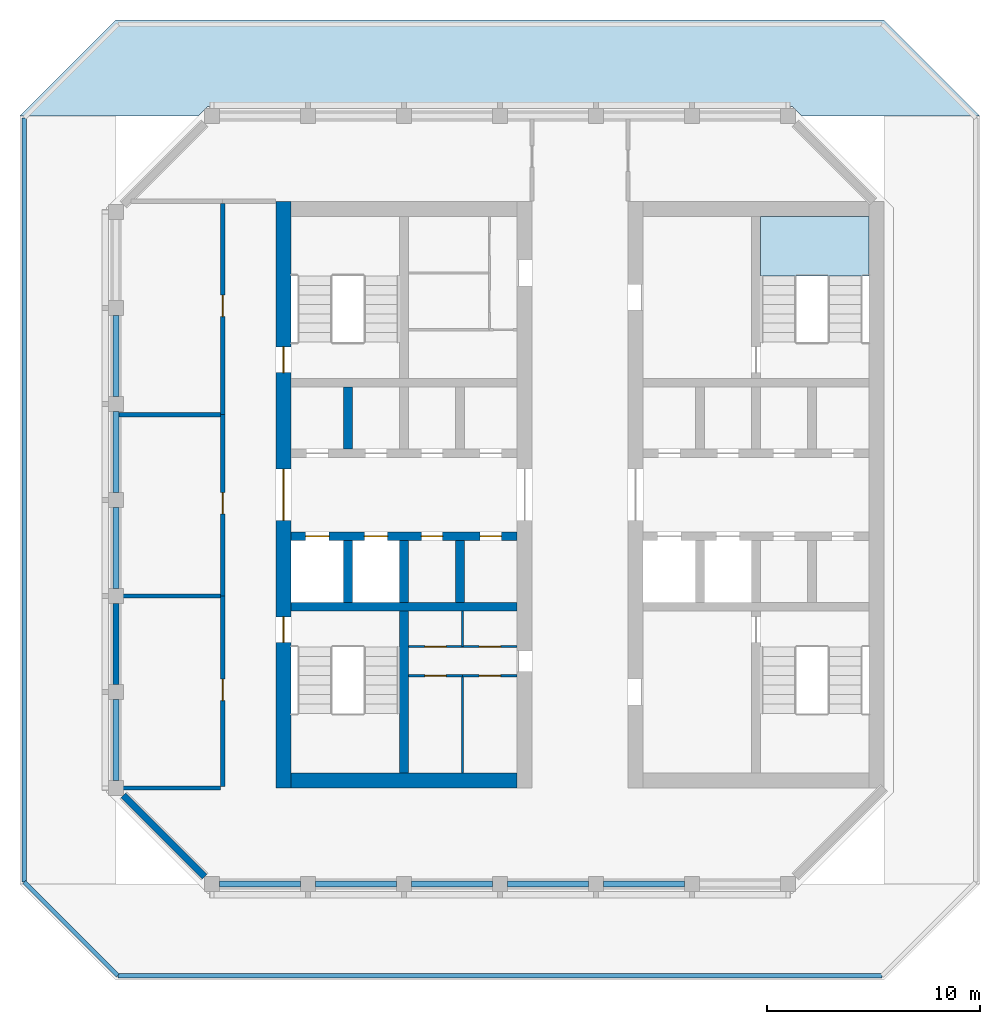
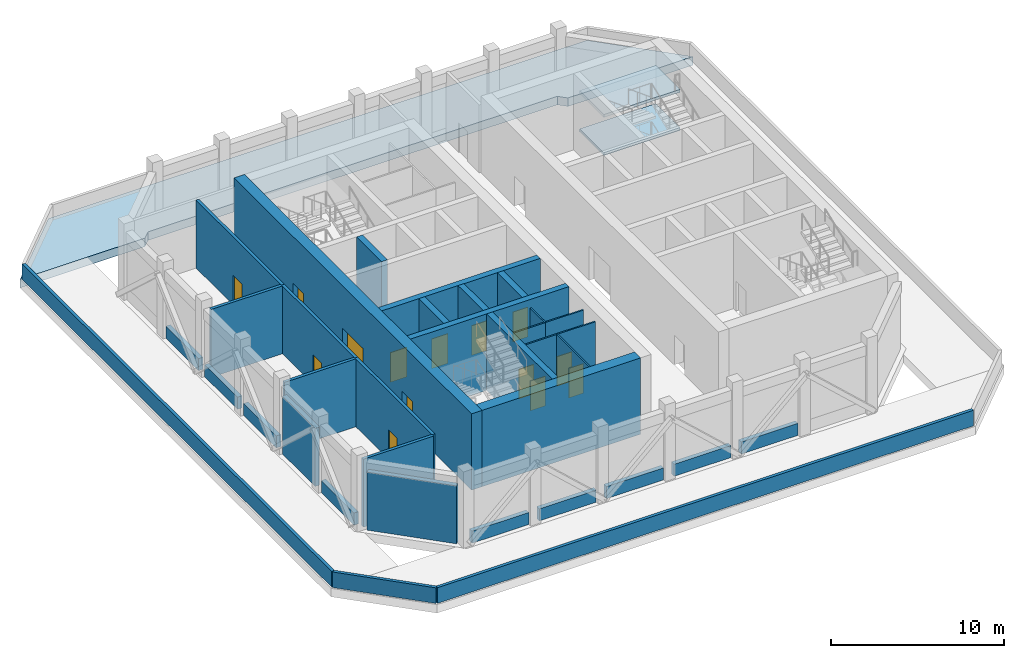
# One storey, part 2 of 8: 35 walls, 14 doors, 3 slabs, 14 openings, 1 element without a shape of its own.
"""IFC4 building model written with IfcOpenShell, lengths in metres."""

from ifc_helpers import new_model, si_unit, direction, frame, frame_2d, origin, place, context, subcontext, project, spatial, polyline, rectangle, outline, extrude, material, layer, layer_set, type_object, element, fill, aggregate, save


model = new_model("IFC4")

# Units and contexts
model_context = context("Model", 3, precision=1e-05, world=origin(), true_north=direction((0.0, 1.0)))
body_context = subcontext(model_context, "Body", "Model", "MODEL_VIEW")
ifc_project = project(units=[si_unit("LENGTHUNIT", "METRE"), si_unit("AREAUNIT", "SQUARE_METRE"), si_unit("VOLUMEUNIT", "CUBIC_METRE"), si_unit("PLANEANGLEUNIT", "RADIAN"), si_unit("MASSUNIT", "GRAM", prefix="KILO")], contexts=[model_context])

# Site, building, storey
site_placement = place(None, origin())
site = spatial("IfcSite", under=ifc_project, at=site_placement, CompositionType="ELEMENT")
building_placement = place(site_placement, origin())
building = spatial("IfcBuilding", under=site, at=building_placement, Name="Corbel Stack Research Tower", CompositionType="ELEMENT")
storey_placement = place(building_placement, frame((0.0, 0.0, 301.0)))
storey = spatial("IfcBuildingStorey", under=building, at=storey_placement, Name="L68", CompositionType="ELEMENT", Elevation=301.0)

# Stair, slabs
ifc_material_1 = material(Name="Concrete C40/50", Category="concrete")
stair_type = type_object("IfcStairType", Name="Exit stair 32 risers, 443 going", PredefinedType="HALF_TURN_STAIR", material=ifc_material_1)
stair_placement = place(storey_placement, origin())
stair = element("IfcStair", 1, at=stair_placement, inside=storey, type_object=stair_type, Name="L68 Exit stair ST-E2", PredefinedType="HALF_TURN_STAIR")
ifc_material_2 = material(Name="Concrete C40/50", Category="concrete")
ifc_layer_1 = layer(ifc_material_2, 0.199951171875)
ifc_layer_set_1 = layer_set([ifc_layer_1], Name="Concrete C40/50")
slab_type_1 = type_object("IfcSlabType", Name="Stair landing 200 C40/50", PredefinedType="LANDING", material=ifc_layer_set_1)
slab_1_placement = place(storey_placement, frame((0.0, 0.0, 1.14990234375)))
slab_1 = element("IfcSlab", 2, at=slab_1_placement, type_object=slab_type_1, Name="ST-E2 landing 1", PredefinedType="LANDING", context=body_context, shape_type="SweptSolid", body=[
    extrude(outline(polyline([(12.199951171875, 15.0009765625), (12.199951171875, 17.800048828125), (17.300048828125, 17.800048828125), (17.300048828125, 15.0009765625), (12.199951171875, 15.0009765625)])), origin(), (0.0, 0.0, 1.0), 0.2001953125),
])
slab_2_placement = place(storey_placement, frame((0.0, 0.0, 3.85009765625)))
slab_2 = element("IfcSlab", 3, at=slab_2_placement, type_object=slab_type_1, Name="ST-E2 landing 3", PredefinedType="LANDING", context=body_context, shape_type="SweptSolid", body=[
    extrude(outline(polyline([(12.199951171875, 15.0009765625), (12.199951171875, 17.800048828125), (17.300048828125, 17.800048828125), (17.300048828125, 15.0009765625), (12.199951171875, 15.0009765625)])), origin(), (0.0, 0.0, 1.0), 0.199951171875),
])
aggregate(stair, [slab_1, slab_2])

# Slab
ifc_material_3 = material(Name="Concrete C45/55", Category="concrete")
ifc_layer_2 = layer(ifc_material_3, 0.60009765625)
ifc_layer_set_2 = layer_set([ifc_layer_2], Name="Concrete C45/55")
slab_type_2 = type_object("IfcSlabType", Name="TS-600", PredefinedType="ROOF", material=ifc_layer_set_2)
slab_3_placement = place(storey_placement, frame((0.0, 0.0, -0.60009765625)))
element("IfcSlab", 4, at=slab_3_placement, inside=storey, type_object=slab_type_2, Name="Terrace slab L68", PredefinedType="ROOF", context=body_context, shape_type="SweptSolid", body=[
    extrude(outline(polyline([(-14.136474609375, 22.5), (-13.686279296875, 22.949951171875), (13.686279296875, 22.949951171875), (14.136474609375, 22.5), (22.5, 22.5), (18.0, 27.0), (-18.0, 27.0), (-22.5, 22.5), (-14.136474609375, 22.5)])), origin(), (0.0, 0.0, 1.0), 0.60009765625),
])

# Walls
ifc_material_4 = material(Name="Concrete blockwork C20/25", Category="masonry")
ifc_layer_3 = layer(ifc_material_4, 0.199951171875)
ifc_layer_set_3 = layer_set([ifc_layer_3], Name="Concrete blockwork C20/25")
wall_type_1 = type_object("IfcWallType", Name="Blockwork partition 200", PredefinedType="PARTITIONING", material=ifc_layer_set_3)
for number, where, z_axis, x_axis, name in (
    (5, (-17.85498046875, 0.0, 0.0), (0.0, 0.0, 1.0), (1.0, 0.0, 0.0), "Partition L68-01"),
    (6, (-17.85498046875, 8.5, 0.0), (0.0, 0.0, 1.0), (1.0, 0.0, 0.0), "Partition L68-02"),
):
    element("IfcWall", number, at=place(storey_placement, frame(where, z_axis=z_axis, x_axis=x_axis)), inside=storey, type_object=wall_type_1, Name=name, PredefinedType="PARTITIONING", context=body_context, shape_type="SweptSolid", body=[
        extrude(rectangle(XDim=4.7548828125, YDim=0.199951171875, at=frame_2d((2.37744140625, 0.0))), origin(), (0.0, 0.0, 1.0), 4.800048828125),
    ])
wall_1_placement = place(storey_placement, frame((-17.794921875, -9.0, 0.0), z_axis=(0.0, 0.0, 1.0), x_axis=(1.0, 0.0, 0.0)))
element("IfcWall", 7, at=wall_1_placement, inside=storey, type_object=wall_type_1, Name="Partition L68-03", PredefinedType="PARTITIONING", context=body_context, shape_type="SweptSolid", body=[
    extrude(rectangle(XDim=4.704833984375, YDim=0.199951171875, at=frame_2d((2.3525390625, 0.0))), origin(), (0.0, 0.0, 1.0), 4.800048828125),
])

# Wall, opening, door
wall_2_placement = place(storey_placement, frame((-13.0, -8.93994140625, 0.0), z_axis=(0.0, 0.0, 1.0), x_axis=(0.0, 1.0, 0.0)))
wall_2 = element("IfcWall", 8, at=wall_2_placement, inside=storey, type_object=wall_type_1, Name="Partition L68-05", PredefinedType="PARTITIONING", context=body_context, shape_type="SweptSolid", body=[
    extrude(rectangle(XDim=8.93994140625, YDim=0.199951171875, at=frame_2d((4.469970703125, 0.0))), origin(), (0.0, 0.0, 1.0), 4.800048828125),
])
opening_1_placement = place(wall_2_placement, frame((4.0400390625, 0.0, 0.0)))
opening_1 = element("IfcOpeningElement", 9, at=opening_1_placement, cuts=wall_2, Name="Opening D68-01", PredefinedType="OPENING", context=body_context, shape_type="SweptSolid", body=[
    extrude(rectangle(XDim=1.0, YDim=2.10009765625, at=frame_2d((0.5, 1.050048828125))), frame((0.0, 0.10986328125, 0.0), z_axis=(0.0, -1.0, 0.0), x_axis=(1.0, 0.0, 0.0)), (0.0, 0.0, 1.0), 0.219970703125),
])
ifc_material_5 = material(Name="Steel, painted", Category="steel")
door_type_1 = type_object("IfcDoorType", Name="Steel door 1000 x 2100 FD90", OperationType="SINGLE_SWING_LEFT", PredefinedType="DOOR", material=ifc_material_5)
door_1_placement = place(opening_1_placement, origin())
door_1 = element("IfcDoor", 10, at=door_1_placement, inside=storey, type_object=door_type_1, Name="Refuge area door", OperationType="SINGLE_SWING_LEFT", OverallHeight=2.10009765625, OverallWidth=1.0, PredefinedType="DOOR", context=body_context, shape_type="SweptSolid", body=[
    extrude(rectangle(XDim=1.0, YDim=2.10009765625, at=frame_2d((0.5, 1.050048828125))), frame((0.0, 0.02490234375, 0.0), z_axis=(0.0, -1.0, 0.0), x_axis=(1.0, 0.0, 0.0)), (0.0, 0.0, 1.0), 0.050048828125),
])
fill(opening_1, door_1)

wall_3_placement = place(storey_placement, frame((-13.0, 0.0, 0.0), z_axis=(0.0, 0.0, 1.0), x_axis=(0.0, 1.0, 0.0)))
wall_3 = element("IfcWall", 11, at=wall_3_placement, inside=storey, type_object=wall_type_1, Name="Partition L68-06", PredefinedType="PARTITIONING", context=body_context, shape_type="SweptSolid", body=[
    extrude(rectangle(XDim=8.5, YDim=0.199951171875, at=frame_2d((4.25, 0.0))), origin(), (0.0, 0.0, 1.0), 4.800048828125),
])
opening_2_placement = place(wall_3_placement, frame((3.85009765625, 0.0, 0.0)))
opening_2 = element("IfcOpeningElement", 12, at=opening_2_placement, cuts=wall_3, Name="Opening D68-02", PredefinedType="OPENING", context=body_context, shape_type="SweptSolid", body=[
    extrude(rectangle(XDim=1.0, YDim=2.10009765625, at=frame_2d((0.5, 1.050048828125))), frame((0.0, 0.10986328125, 0.0), z_axis=(0.0, -1.0, 0.0), x_axis=(1.0, 0.0, 0.0)), (0.0, 0.0, 1.0), 0.219970703125),
])
door_2_placement = place(opening_2_placement, origin())
door_2 = element("IfcDoor", 13, at=door_2_placement, inside=storey, type_object=door_type_1, Name="Mechanical plant room door", OperationType="SINGLE_SWING_LEFT", OverallHeight=2.10009765625, OverallWidth=1.0, PredefinedType="DOOR", context=body_context, shape_type="SweptSolid", body=[
    extrude(rectangle(XDim=1.0, YDim=2.10009765625, at=frame_2d((0.5, 1.050048828125))), frame((0.0, 0.02490234375, 0.0), z_axis=(0.0, -1.0, 0.0), x_axis=(1.0, 0.0, 0.0)), (0.0, 0.0, 1.0), 0.050048828125),
])
fill(opening_2, door_2)

wall_4_placement = place(storey_placement, frame((-13.0, 8.5, 0.0), z_axis=(0.0, 0.0, 1.0), x_axis=(0.0, 1.0, 0.0)))
wall_4 = element("IfcWall", 14, at=wall_4_placement, inside=storey, type_object=wall_type_1, Name="Partition L68-07", PredefinedType="PARTITIONING", context=body_context, shape_type="SweptSolid", body=[
    extrude(rectangle(XDim=9.89990234375, YDim=0.199951171875, at=frame_2d((4.949951171875, 0.0))), origin(), (0.0, 0.0, 1.0), 4.800048828125),
])
opening_3_placement = place(wall_4_placement, frame((4.60009765625, 0.0, 0.0)))
opening_3 = element("IfcOpeningElement", 15, at=opening_3_placement, cuts=wall_4, Name="Opening D68-03", PredefinedType="OPENING", context=body_context, shape_type="SweptSolid", body=[
    extrude(rectangle(XDim=1.0, YDim=2.10009765625, at=frame_2d((0.5, 1.050048828125))), frame((0.0, 0.10986328125, 0.0), z_axis=(0.0, -1.0, 0.0), x_axis=(1.0, 0.0, 0.0)), (0.0, 0.0, 1.0), 0.219970703125),
])
door_3_placement = place(opening_3_placement, origin())
door_3 = element("IfcDoor", 16, at=door_3_placement, inside=storey, type_object=door_type_1, Name="Electrical switch room door", OperationType="SINGLE_SWING_LEFT", OverallHeight=2.10009765625, OverallWidth=1.0, PredefinedType="DOOR", context=body_context, shape_type="SweptSolid", body=[
    extrude(rectangle(XDim=1.0, YDim=2.10009765625, at=frame_2d((0.5, 1.050048828125))), frame((0.0, 0.02490234375, 0.0), z_axis=(0.0, -1.0, 0.0), x_axis=(1.0, 0.0, 0.0)), (0.0, 0.0, 1.0), 0.050048828125),
])
fill(opening_3, door_3)

# Wall
ifc_material_6 = material(Name="Concrete C60/75", Category="concrete")
ifc_layer_4 = layer(ifc_material_6, 0.39990234375)
ifc_layer_set_4 = layer_set([ifc_layer_4], Name="Concrete C60/75")
wall_type_2 = type_object("IfcWallType", Name="CW-400-60", PredefinedType="SHEAR", material=ifc_layer_set_4)
wall_5_placement = place(storey_placement, frame((-9.800048828125, -0.5, 0.0), z_axis=(0.0, 0.0, 1.0), x_axis=(1.0, 0.0, 0.0)))
element("IfcWall", 17, at=wall_5_placement, inside=storey, type_object=wall_type_2, Name="West core wall, south row back L68", PredefinedType="SHEAR", context=body_context, shape_type="SweptSolid", body=[
    extrude(rectangle(XDim=10.60009765625, YDim=0.39990234375, at=frame_2d((5.300048828125, 0.0))), origin(), (0.0, 0.0, 1.0), 5.39990234375),
])

# Wall, openings, doors
wall_6_placement = place(storey_placement, frame((-9.800048828125, 2.800048828125, 0.0), z_axis=(0.0, 0.0, 1.0), x_axis=(1.0, 0.0, 0.0)))
wall_6 = element("IfcWall", 18, at=wall_6_placement, inside=storey, type_object=wall_type_2, Name="West core wall, lobby south L68", PredefinedType="SHEAR", context=body_context, shape_type="SweptSolid", body=[
    extrude(rectangle(XDim=10.60009765625, YDim=0.39990234375, at=frame_2d((5.300048828125, 0.0))), origin(), (0.0, 0.0, 1.0), 5.39990234375),
])
opening_4_placement = place(wall_6_placement, frame((0.6875, 0.0, 0.0)))
opening_4 = element("IfcOpeningElement", 19, at=opening_4_placement, cuts=wall_6, Name="Opening LD-FS1", PredefinedType="OPENING", context=body_context, shape_type="SweptSolid", body=[
    extrude(rectangle(XDim=1.10009765625, YDim=2.10009765625, at=frame_2d((0.550048828125, 1.050048828125))), frame((0.0, 0.2099609375, 0.0), z_axis=(0.0, -1.0, 0.0), x_axis=(1.0, 0.0, 0.0)), (0.0, 0.0, 1.0), 0.419921875),
])
opening_5_placement = place(wall_6_placement, frame((3.4375, 0.0, 0.0)))
opening_5 = element("IfcOpeningElement", 20, at=opening_5_placement, cuts=wall_6, Name="Opening LD-GL1", PredefinedType="OPENING", context=body_context, shape_type="SweptSolid", body=[
    extrude(rectangle(XDim=1.10009765625, YDim=2.10009765625, at=frame_2d((0.550048828125, 1.050048828125))), frame((0.0, 0.2099609375, 0.0), z_axis=(0.0, -1.0, 0.0), x_axis=(1.0, 0.0, 0.0)), (0.0, 0.0, 1.0), 0.419921875),
])
opening_6_placement = place(wall_6_placement, frame((6.112548828125, 0.0, 0.0)))
opening_6 = element("IfcOpeningElement", 21, at=opening_6_placement, cuts=wall_6, Name="Opening CR-W54-S3", PredefinedType="OPENING", context=body_context, shape_type="SweptSolid", body=[
    extrude(rectangle(XDim=1.0, YDim=2.10009765625, at=frame_2d((0.5, 1.050048828125))), frame((0.0, 0.2099609375, 0.0), z_axis=(0.0, -1.0, 0.0), x_axis=(1.0, 0.0, 0.0)), (0.0, 0.0, 1.0), 0.419921875),
])
opening_7_placement = place(wall_6_placement, frame((8.862548828125, 0.0, 0.0)))
opening_7 = element("IfcOpeningElement", 22, at=opening_7_placement, cuts=wall_6, Name="Opening CR-W54-S4", PredefinedType="OPENING", context=body_context, shape_type="SweptSolid", body=[
    extrude(rectangle(XDim=1.0, YDim=2.10009765625, at=frame_2d((0.5, 1.050048828125))), frame((0.0, 0.2099609375, 0.0), z_axis=(0.0, -1.0, 0.0), x_axis=(1.0, 0.0, 0.0)), (0.0, 0.0, 1.0), 0.419921875),
])
ifc_material_7 = material(Name="Stainless steel landing door", Category="steel")
door_type_2 = type_object("IfcDoorType", Name="Lift landing door 1100 x 2100", OperationType="DOUBLE_DOOR_SLIDING", PredefinedType="DOOR", material=ifc_material_7)
door_4_placement = place(opening_4_placement, origin())
door_4 = element("IfcDoor", 23, at=door_4_placement, inside=storey, type_object=door_type_2, Name="Landing door FS1", OperationType="DOUBLE_DOOR_SLIDING", OverallHeight=2.10009765625, OverallWidth=1.10009765625, PredefinedType="DOOR", context=body_context, shape_type="SweptSolid", body=[
    extrude(rectangle(XDim=1.10009765625, YDim=2.10009765625, at=frame_2d((0.550048828125, 1.050048828125))), frame((0.0, 0.02490234375, 0.0), z_axis=(0.0, -1.0, 0.0), x_axis=(1.0, 0.0, 0.0)), (0.0, 0.0, 1.0), 0.050048828125),
])
fill(opening_4, door_4)
door_5_placement = place(opening_5_placement, origin())
door_5 = element("IfcDoor", 24, at=door_5_placement, inside=storey, type_object=door_type_2, Name="Landing door GL1", OperationType="DOUBLE_DOOR_SLIDING", OverallHeight=2.10009765625, OverallWidth=1.10009765625, PredefinedType="DOOR", context=body_context, shape_type="SweptSolid", body=[
    extrude(rectangle(XDim=1.10009765625, YDim=2.10009765625, at=frame_2d((0.550048828125, 1.050048828125))), frame((0.0, 0.02490234375, 0.0), z_axis=(0.0, -1.0, 0.0), x_axis=(1.0, 0.0, 0.0)), (0.0, 0.0, 1.0), 0.050048828125),
])
fill(opening_5, door_5)
ifc_material_8 = material(Name="Painted steel door", Category="steel")
door_type_3 = type_object("IfcDoorType", Name="Service door 1000 x 2100 FD60 left hand", OperationType="SINGLE_SWING_LEFT", PredefinedType="DOOR", material=ifc_material_8)
door_6_placement = place(opening_6_placement, origin())
door_6 = element("IfcDoor", 25, at=door_6_placement, inside=storey, type_object=door_type_3, Name="Electrical switch room door W core", OperationType="SINGLE_SWING_LEFT", OverallHeight=2.10009765625, OverallWidth=1.0, PredefinedType="DOOR", context=body_context, shape_type="SweptSolid", body=[
    extrude(rectangle(XDim=1.0, YDim=2.10009765625, at=frame_2d((0.5, 1.050048828125))), frame((0.0, 0.02490234375, 0.0), z_axis=(0.0, -1.0, 0.0), x_axis=(1.0, 0.0, 0.0)), (0.0, 0.0, 1.0), 0.050048828125),
])
fill(opening_6, door_6)
ifc_material_9 = material(Name="Painted steel door", Category="steel")
door_type_4 = type_object("IfcDoorType", Name="Service door 1000 x 2100 FD60 right hand", OperationType="SINGLE_SWING_RIGHT", PredefinedType="DOOR", material=ifc_material_9)
door_7_placement = place(opening_7_placement, origin())
door_7 = element("IfcDoor", 26, at=door_7_placement, inside=storey, type_object=door_type_4, Name="Electrical switch room door W core", OperationType="SINGLE_SWING_RIGHT", OverallHeight=2.10009765625, OverallWidth=1.0, PredefinedType="DOOR", context=body_context, shape_type="SweptSolid", body=[
    extrude(rectangle(XDim=1.0, YDim=2.10009765625, at=frame_2d((0.5, 1.050048828125))), frame((0.0, 0.02490234375, 0.0), z_axis=(0.0, -1.0, 0.0), x_axis=(1.0, 0.0, 0.0)), (0.0, 0.0, 1.0), 0.050048828125),
])
fill(opening_7, door_7)

# Walls
for number, where, z_axis, x_axis, name in (
    (27, (-7.125, -0.300048828125, 0.0), (0.0, 0.0, 1.0), (0.0, 1.0, 0.0), "West core wall, south shaft 1 L68"),
    (28, (-7.125, 6.89990234375, 0.0), (0.0, 0.0, 1.0), (0.0, 1.0, 0.0), "West core wall, north shaft 1 L68"),
    (29, (-4.5, -0.300048828125, 0.0), (0.0, 0.0, 1.0), (0.0, 1.0, 0.0), "West core wall, south shaft 2 L68"),
    (30, (-1.875, -0.300048828125, 0.0), (0.0, 0.0, 1.0), (0.0, 1.0, 0.0), "West core wall, south shaft 3 L68"),
):
    element("IfcWall", number, at=place(storey_placement, frame(where, z_axis=z_axis, x_axis=x_axis)), inside=storey, type_object=wall_type_2, Name=name, PredefinedType="SHEAR", context=body_context, shape_type="SweptSolid", body=[
        extrude(rectangle(XDim=2.900146484375, YDim=0.39990234375, at=frame_2d((1.4501953125, 0.0))), origin(), (0.0, 0.0, 1.0), 5.39990234375),
    ])
wall_7_placement = place(storey_placement, frame((-4.5, -8.300048828125, 0.0), z_axis=(0.0, 0.0, 1.0), x_axis=(0.0, 1.0, 0.0)))
element("IfcWall", 31, at=wall_7_placement, inside=storey, type_object=wall_type_2, Name="West core wall, south stair and WC L68", PredefinedType="SHEAR", context=body_context, shape_type="SweptSolid", body=[
    extrude(rectangle(XDim=7.60009765625, YDim=0.39990234375, at=frame_2d((3.800048828125, 0.0))), origin(), (0.0, 0.0, 1.0), 5.39990234375),
])

# Wall, openings, doors
ifc_material_10 = material(Name="Concrete C60/75", Category="concrete")
ifc_layer_5 = layer(ifc_material_10, 0.699951171875)
ifc_layer_set_5 = layer_set([ifc_layer_5], Name="Concrete C60/75")
wall_type_3 = type_object("IfcWallType", Name="CW-700-60", PredefinedType="SHEAR", material=ifc_layer_set_5)
wall_8_placement = place(storey_placement, frame((-10.14990234375, -9.0, 0.0), z_axis=(0.0, 0.0, 1.0), x_axis=(0.0, 1.0, 0.0)))
wall_8 = element("IfcWall", 32, at=wall_8_placement, inside=storey, type_object=wall_type_3, Name="West core wall, west face L68", PredefinedType="SHEAR", context=body_context, shape_type="SweptSolid", body=[
    extrude(rectangle(XDim=27.5, YDim=0.699951171875, at=frame_2d((13.75, 0.0))), origin(), (0.0, 0.0, 1.0), 5.39990234375),
])
opening_8_placement = place(wall_8_placement, frame((12.550048828125, 0.0, 0.0)))
opening_8 = element("IfcOpeningElement", 33, at=opening_8_placement, cuts=wall_8, Name="Opening CD-W-W", PredefinedType="OPENING", context=body_context, shape_type="SweptSolid", body=[
    extrude(rectangle(XDim=2.39990234375, YDim=2.39990234375, at=frame_2d((1.199951171875, 1.199951171875))), frame((0.0, 0.35986328125, 0.0), z_axis=(0.0, -1.0, 0.0), x_axis=(1.0, 0.0, 0.0)), (0.0, 0.0, 1.0), 0.719970703125),
])
opening_9_placement = place(wall_8_placement, frame((6.824951171875, 0.0, 0.0)))
opening_9 = element("IfcOpeningElement", 34, at=opening_9_placement, cuts=wall_8, Name="Opening SD-ST-W1", PredefinedType="OPENING", context=body_context, shape_type="SweptSolid", body=[
    extrude(rectangle(XDim=1.199951171875, YDim=2.10009765625, at=frame_2d((0.60009765625, 1.050048828125))), frame((0.0, 0.35986328125, 0.0), z_axis=(0.0, -1.0, 0.0), x_axis=(1.0, 0.0, 0.0)), (0.0, 0.0, 1.0), 0.719970703125),
])
opening_10_placement = place(wall_8_placement, frame((19.47509765625, 0.0, 0.0)))
opening_10 = element("IfcOpeningElement", 35, at=opening_10_placement, cuts=wall_8, Name="Opening SD-ST-W2", PredefinedType="OPENING", context=body_context, shape_type="SweptSolid", body=[
    extrude(rectangle(XDim=1.199951171875, YDim=2.10009765625, at=frame_2d((0.60009765625, 1.050048828125))), frame((0.0, 0.35986328125, 0.0), z_axis=(0.0, -1.0, 0.0), x_axis=(1.0, 0.0, 0.0)), (0.0, 0.0, 1.0), 0.719970703125),
])
ifc_material_11 = material(Name="Painted steel fire door", Category="steel")
door_type_5 = type_object("IfcDoorType", Name="Lobby door pair 2400 x 2400 FD30S", OperationType="DOUBLE_DOOR_DOUBLE_SWING", PredefinedType="DOOR", material=ifc_material_11)
door_8_placement = place(opening_8_placement, origin())
door_8 = element("IfcDoor", 36, at=door_8_placement, inside=storey, type_object=door_type_5, Name="Lift lobby door W core W", OperationType="DOUBLE_DOOR_DOUBLE_SWING", OverallHeight=2.39990234375, OverallWidth=2.39990234375, PredefinedType="DOOR", context=body_context, shape_type="SweptSolid", body=[
    extrude(rectangle(XDim=2.39990234375, YDim=2.39990234375, at=frame_2d((1.199951171875, 1.199951171875))), frame((0.0, 0.02490234375, 0.0), z_axis=(0.0, -1.0, 0.0), x_axis=(1.0, 0.0, 0.0)), (0.0, 0.0, 1.0), 0.050048828125),
])
fill(opening_8, door_8)
ifc_material_12 = material(Name="Painted steel fire door", Category="steel")
door_type_6 = type_object("IfcDoorType", Name="Stair door 1200 x 2100 FD90 left hand", OperationType="SINGLE_SWING_LEFT", PredefinedType="DOOR", material=ifc_material_12)
door_9_placement = place(opening_9_placement, origin())
door_9 = element("IfcDoor", 37, at=door_9_placement, inside=storey, type_object=door_type_6, Name="Stair door ST-W1", OperationType="SINGLE_SWING_LEFT", OverallHeight=2.10009765625, OverallWidth=1.199951171875, PredefinedType="DOOR", context=body_context, shape_type="SweptSolid", body=[
    extrude(rectangle(XDim=1.199951171875, YDim=2.10009765625, at=frame_2d((0.60009765625, 1.050048828125))), frame((0.0, 0.02490234375, 0.0), z_axis=(0.0, -1.0, 0.0), x_axis=(1.0, 0.0, 0.0)), (0.0, 0.0, 1.0), 0.050048828125),
])
fill(opening_9, door_9)
door_10_placement = place(opening_10_placement, origin())
door_10 = element("IfcDoor", 38, at=door_10_placement, inside=storey, type_object=door_type_6, Name="Stair door ST-W2", OperationType="SINGLE_SWING_LEFT", OverallHeight=2.10009765625, OverallWidth=1.199951171875, PredefinedType="DOOR", context=body_context, shape_type="SweptSolid", body=[
    extrude(rectangle(XDim=1.199951171875, YDim=2.10009765625, at=frame_2d((0.60009765625, 1.050048828125))), frame((0.0, 0.02490234375, 0.0), z_axis=(0.0, -1.0, 0.0), x_axis=(1.0, 0.0, 0.0)), (0.0, 0.0, 1.0), 0.050048828125),
])
fill(opening_10, door_10)

# Wall
wall_9_placement = place(storey_placement, frame((-9.800048828125, -8.64990234375, 0.0), z_axis=(0.0, 0.0, 1.0), x_axis=(1.0, 0.0, 0.0)))
element("IfcWall", 39, at=wall_9_placement, inside=storey, type_object=wall_type_3, Name="West core wall, south end L68", PredefinedType="SHEAR", context=body_context, shape_type="SweptSolid", body=[
    extrude(rectangle(XDim=10.60009765625, YDim=0.699951171875, at=frame_2d((5.300048828125, 0.0))), origin(), (0.0, 0.0, 1.0), 5.39990234375),
])

# Wall, opening, door
ifc_material_13 = material(Name="Gypsum board")
ifc_layer_6 = layer(ifc_material_13, 0.10009765625)
ifc_layer_set_6 = layer_set([ifc_layer_6], Name="Gypsum board")
wall_type_4 = type_object("IfcWallType", Name="Core partition 100", PredefinedType="PARTITIONING", material=ifc_layer_set_6)
wall_10_placement = place(storey_placement, frame((-1.75, -3.739990234375, 0.0), z_axis=(0.0, 0.0, 1.0), x_axis=(1.0, 0.0, 0.0)))
wall_10 = element("IfcWall", 40, at=wall_10_placement, inside=storey, type_object=wall_type_4, Name="Core partition W", PredefinedType="PARTITIONING", context=body_context, shape_type="SweptSolid", body=[
    extrude(rectangle(XDim=2.550048828125, YDim=0.10009765625, at=frame_2d((1.27490234375, 0.0))), origin(), (0.0, 0.0, 1.0), 4.800048828125),
])
opening_11_placement = place(wall_10_placement, frame((0.77490234375, 0.0, 0.0)))
opening_11 = element("IfcOpeningElement", 41, at=opening_11_placement, cuts=wall_10, Name="Opening CR-W54-W2-1000", PredefinedType="OPENING", context=body_context, shape_type="SweptSolid", body=[
    extrude(rectangle(XDim=1.0, YDim=2.10009765625, at=frame_2d((0.5, 1.050048828125))), frame((0.0, 0.06005859375, 0.0), z_axis=(0.0, -1.0, 0.0), x_axis=(1.0, 0.0, 0.0)), (0.0, 0.0, 1.0), 0.1201171875),
])
ifc_material_14 = material(Name="Painted timber door", Category="wood")
door_type_7 = type_object("IfcDoorType", Name="WC door 1000 x 2100 right hand", OperationType="SINGLE_SWING_RIGHT", PredefinedType="DOOR", material=ifc_material_14)
door_11_placement = place(opening_11_placement, origin())
door_11 = element("IfcDoor", 42, at=door_11_placement, inside=storey, type_object=door_type_7, Name="Women's WC door W core", OperationType="SINGLE_SWING_RIGHT", OverallHeight=2.10009765625, OverallWidth=1.0, PredefinedType="DOOR", context=body_context, shape_type="SweptSolid", body=[
    extrude(rectangle(XDim=1.0, YDim=2.10009765625, at=frame_2d((0.5, 1.050048828125))), frame((0.0, 0.02490234375, 0.0), z_axis=(0.0, -1.0, 0.0), x_axis=(1.0, 0.0, 0.0)), (0.0, 0.0, 1.0), 0.050048828125),
])
fill(opening_11, door_11)

wall_11_placement = place(storey_placement, frame((-4.300048828125, -3.739990234375, 0.0), z_axis=(0.0, 0.0, 1.0), x_axis=(1.0, 0.0, 0.0)))
wall_11 = element("IfcWall", 43, at=wall_11_placement, inside=storey, type_object=wall_type_4, Name="Core partition W", PredefinedType="PARTITIONING", context=body_context, shape_type="SweptSolid", body=[
    extrude(rectangle(XDim=2.550048828125, YDim=0.10009765625, at=frame_2d((1.27490234375, 0.0))), origin(), (0.0, 0.0, 1.0), 4.800048828125),
])
opening_12_placement = place(wall_11_placement, frame((0.77490234375, 0.0, 0.0)))
opening_12 = element("IfcOpeningElement", 44, at=opening_12_placement, cuts=wall_11, Name="Opening CR-W54-W3-1000", PredefinedType="OPENING", context=body_context, shape_type="SweptSolid", body=[
    extrude(rectangle(XDim=1.0, YDim=2.10009765625, at=frame_2d((0.5, 1.050048828125))), frame((0.0, 0.06005859375, 0.0), z_axis=(0.0, -1.0, 0.0), x_axis=(1.0, 0.0, 0.0)), (0.0, 0.0, 1.0), 0.1201171875),
])
ifc_material_15 = material(Name="Painted timber door", Category="wood")
door_type_8 = type_object("IfcDoorType", Name="WC door 1000 x 2100 left hand", OperationType="SINGLE_SWING_LEFT", PredefinedType="DOOR", material=ifc_material_15)
door_12_placement = place(opening_12_placement, origin())
door_12 = element("IfcDoor", 45, at=door_12_placement, inside=storey, type_object=door_type_8, Name="Men's WC door W core", OperationType="SINGLE_SWING_LEFT", OverallHeight=2.10009765625, OverallWidth=1.0, PredefinedType="DOOR", context=body_context, shape_type="SweptSolid", body=[
    extrude(rectangle(XDim=1.0, YDim=2.10009765625, at=frame_2d((0.5, 1.050048828125))), frame((0.0, 0.02490234375, 0.0), z_axis=(0.0, -1.0, 0.0), x_axis=(1.0, 0.0, 0.0)), (0.0, 0.0, 1.0), 0.050048828125),
])
fill(opening_12, door_12)

wall_12_placement = place(storey_placement, frame((-1.75, -2.3720703125, 0.0), z_axis=(0.0, 0.0, 1.0), x_axis=(1.0, 0.0, 0.0)))
wall_12 = element("IfcWall", 46, at=wall_12_placement, inside=storey, type_object=wall_type_4, Name="Core partition W", PredefinedType="PARTITIONING", context=body_context, shape_type="SweptSolid", body=[
    extrude(rectangle(XDim=2.550048828125, YDim=0.10009765625, at=frame_2d((1.27490234375, 0.0))), origin(), (0.0, 0.0, 1.0), 4.800048828125),
])
opening_13_placement = place(wall_12_placement, frame((0.77490234375, 0.0, 0.0)))
opening_13 = element("IfcOpeningElement", 47, at=opening_13_placement, cuts=wall_12, Name="Opening CR-W54-W4-1000", PredefinedType="OPENING", context=body_context, shape_type="SweptSolid", body=[
    extrude(rectangle(XDim=1.0, YDim=2.10009765625, at=frame_2d((0.5, 1.050048828125))), frame((0.0, 0.06005859375, 0.0), z_axis=(0.0, -1.0, 0.0), x_axis=(1.0, 0.0, 0.0)), (0.0, 0.0, 1.0), 0.1201171875),
])
door_13_placement = place(opening_13_placement, origin())
door_13 = element("IfcDoor", 48, at=door_13_placement, inside=storey, type_object=door_type_7, Name="Accessible WC door W core", OperationType="SINGLE_SWING_RIGHT", OverallHeight=2.10009765625, OverallWidth=1.0, PredefinedType="DOOR", context=body_context, shape_type="SweptSolid", body=[
    extrude(rectangle(XDim=1.0, YDim=2.10009765625, at=frame_2d((0.5, 1.050048828125))), frame((0.0, 0.02490234375, 0.0), z_axis=(0.0, -1.0, 0.0), x_axis=(1.0, 0.0, 0.0)), (0.0, 0.0, 1.0), 0.050048828125),
])
fill(opening_13, door_13)

wall_13_placement = place(storey_placement, frame((-4.300048828125, -2.3720703125, 0.0), z_axis=(0.0, 0.0, 1.0), x_axis=(1.0, 0.0, 0.0)))
wall_13 = element("IfcWall", 49, at=wall_13_placement, inside=storey, type_object=wall_type_4, Name="Core partition W", PredefinedType="PARTITIONING", context=body_context, shape_type="SweptSolid", body=[
    extrude(rectangle(XDim=2.550048828125, YDim=0.10009765625, at=frame_2d((1.27490234375, 0.0))), origin(), (0.0, 0.0, 1.0), 4.800048828125),
])
opening_14_placement = place(wall_13_placement, frame((0.77490234375, 0.0, 0.0)))
opening_14 = element("IfcOpeningElement", 50, at=opening_14_placement, cuts=wall_13, Name="Opening CR-W54-W5-1000", PredefinedType="OPENING", context=body_context, shape_type="SweptSolid", body=[
    extrude(rectangle(XDim=1.0, YDim=2.10009765625, at=frame_2d((0.5, 1.050048828125))), frame((0.0, 0.06005859375, 0.0), z_axis=(0.0, -1.0, 0.0), x_axis=(1.0, 0.0, 0.0)), (0.0, 0.0, 1.0), 0.1201171875),
])
door_14_placement = place(opening_14_placement, origin())
door_14 = element("IfcDoor", 51, at=door_14_placement, inside=storey, type_object=door_type_8, Name="Shower and changing room door W core", OperationType="SINGLE_SWING_LEFT", OverallHeight=2.10009765625, OverallWidth=1.0, PredefinedType="DOOR", context=body_context, shape_type="SweptSolid", body=[
    extrude(rectangle(XDim=1.0, YDim=2.10009765625, at=frame_2d((0.5, 1.050048828125))), frame((0.0, 0.02490234375, 0.0), z_axis=(0.0, -1.0, 0.0), x_axis=(1.0, 0.0, 0.0)), (0.0, 0.0, 1.0), 0.050048828125),
])
fill(opening_14, door_14)

# Walls
wall_14_placement = place(storey_placement, frame((-1.75, -8.300048828125, 0.0), z_axis=(0.0, 0.0, 1.0), x_axis=(0.0, 1.0, 0.0)))
element("IfcWall", 52, at=wall_14_placement, inside=storey, type_object=wall_type_4, Name="Core partition W", PredefinedType="PARTITIONING", context=body_context, shape_type="SweptSolid", body=[
    extrude(rectangle(XDim=4.56005859375, YDim=0.10009765625, at=frame_2d((2.280029296875, 0.0))), origin(), (0.0, 0.0, 1.0), 4.800048828125),
])
wall_15_placement = place(storey_placement, frame((-1.75, -2.3720703125, 0.0), z_axis=(0.0, 0.0, 1.0), x_axis=(0.0, 1.0, 0.0)))
element("IfcWall", 53, at=wall_15_placement, inside=storey, type_object=wall_type_4, Name="Core partition W", PredefinedType="PARTITIONING", context=body_context, shape_type="SweptSolid", body=[
    extrude(rectangle(XDim=1.672119140625, YDim=0.10009765625, at=frame_2d((0.8359375, 0.0))), origin(), (0.0, 0.0, 1.0), 4.800048828125),
])
ifc_material_16 = material(Name="Concrete C45/55", Category="concrete")
ifc_layer_7 = layer(ifc_material_16, 0.300048828125)
ifc_layer_set_7 = layer_set([ifc_layer_7], Name="Concrete C45/55")
wall_type_5 = type_object("IfcWallType", Name="Precast plant wall 300 C45/55", PredefinedType="SOLIDWALL", material=ifc_layer_set_7)
for number, where, z_axis, x_axis, name in (
    (54, (-13.14990234375, -13.5, 0.0), (0.0, 0.0, 1.0), (1.0, 0.0, 0.0), "Plant wall base L68-01"),
    (55, (-8.64990234375, -13.5, 0.0), (0.0, 0.0, 1.0), (1.0, 0.0, 0.0), "Plant wall base L68-02"),
    (56, (-4.14990234375, -13.5, 0.0), (0.0, 0.0, 1.0), (1.0, 0.0, 0.0), "Plant wall base L68-03"),
    (57, (0.35009765625, -13.5, 0.0), (0.0, 0.0, 1.0), (1.0, 0.0, 0.0), "Plant wall base L68-04"),
    (58, (4.85009765625, -13.5, 0.0), (0.0, 0.0, 1.0), (1.0, 0.0, 0.0), "Plant wall base L68-05"),
    (59, (-18.0, 13.14990234375, 0.0), (0.0, 0.0, 1.0), (0.0, -1.0, 0.0), "Plant wall base L68-17"),
    (60, (-18.0, 8.64990234375, 0.0), (0.0, 0.0, 1.0), (0.0, -1.0, 0.0), "Plant wall base L68-18"),
    (61, (-18.0, 4.14990234375, 0.0), (0.0, 0.0, 1.0), (0.0, -1.0, 0.0), "Plant wall base L68-19"),
):
    element("IfcWall", number, at=place(storey_placement, frame(where, z_axis=z_axis, x_axis=x_axis)), inside=storey, type_object=wall_type_5, Name=name, PredefinedType="SOLIDWALL", context=body_context, shape_type="SweptSolid", body=[
        extrude(rectangle(XDim=3.7998046875, YDim=0.300048828125, at=frame_2d((1.89990234375, 0.0))), origin(), (0.0, 0.0, 1.0), 0.85009765625),
    ])
wall_16_placement = place(storey_placement, frame((-18.0, -0.35009765625, 0.0), z_axis=(0.0, 0.0, 1.0), x_axis=(0.0, -1.0, 0.0)))
element("IfcWall", 62, at=wall_16_placement, inside=storey, type_object=wall_type_5, Name="Plant wall L68-20", PredefinedType="SOLIDWALL", context=body_context, shape_type="SweptSolid", body=[
    extrude(rectangle(XDim=3.7998046875, YDim=0.300048828125, at=frame_2d((1.89990234375, 0.0))), origin(), (0.0, 0.0, 1.0), 4.10009765625),
])
wall_17_placement = place(storey_placement, frame((-18.0, -4.85009765625, 0.0), z_axis=(0.0, 0.0, 1.0), x_axis=(0.0, -1.0, 0.0)))
element("IfcWall", 63, at=wall_17_placement, inside=storey, type_object=wall_type_5, Name="Plant wall base L68-21", PredefinedType="SOLIDWALL", context=body_context, shape_type="SweptSolid", body=[
    extrude(rectangle(XDim=3.7998046875, YDim=0.300048828125, at=frame_2d((1.89990234375, 0.0))), origin(), (0.0, 0.0, 1.0), 0.85009765625),
])
wall_18_placement = place(storey_placement, frame((-17.64990234375, -9.35009765625, 0.0), z_axis=(0.0, 0.0, 1.0), x_axis=(0.707106781187, -0.707106781187, 0.0)))
element("IfcWall", 64, at=wall_18_placement, inside=storey, type_object=wall_type_5, Name="Plant wall L68-22", PredefinedType="SOLIDWALL", context=body_context, shape_type="SweptSolid", body=[
    extrude(rectangle(XDim=5.373779296875, YDim=0.300048828125, at=frame_2d((2.68701171875, 0.0))), origin(), (0.0, 0.0, 1.0), 4.10009765625),
])
ifc_material_17 = material(Name="Concrete C45/55", Category="concrete")
ifc_layer_8 = layer(ifc_material_17, 0.199951171875)
ifc_layer_set_8 = layer_set([ifc_layer_8], Name="Concrete C45/55")
wall_type_6 = type_object("IfcWallType", Name="Roof parapet wall 200 C45/55", PredefinedType="PARAPET", material=ifc_layer_set_8)
wall_19_placement = place(storey_placement, frame((-17.917236328125, -17.800048828125, 0.0), z_axis=(0.0, 0.0, 1.0), x_axis=(-0.707106781187, 0.707106781187, 0.0)))
element("IfcWall", 65, at=wall_19_placement, inside=storey, type_object=wall_type_6, Name="Terrace parapet L68-01", PredefinedType="PARAPET", context=body_context, shape_type="SweptSolid", body=[
    extrude(rectangle(XDim=6.1982421875, YDim=0.199951171875, at=frame_2d((3.09912109375, 0.0))), origin(), (0.0, 0.0, 1.0), 1.10009765625),
])
for number, where, z_axis, x_axis, name in (
    (66, (-22.300048828125, -13.417236328125, 0.0), (0.0, 0.0, 1.0), (0.0, 1.0, 0.0), "Terrace parapet L68-02"),
    (67, (17.917236328125, -17.800048828125, 0.0), (0.0, 0.0, 1.0), (-1.0, 0.0, 0.0), "Terrace parapet L68-08"),
):
    element("IfcWall", number, at=place(storey_placement, frame(where, z_axis=z_axis, x_axis=x_axis)), inside=storey, type_object=wall_type_6, Name=name, PredefinedType="PARAPET", context=body_context, shape_type="SweptSolid", body=[
        extrude(rectangle(XDim=35.83447265625, YDim=0.199951171875, at=frame_2d((17.917236328125, 0.0))), origin(), (0.0, 0.0, 1.0), 1.10009765625),
    ])

save(model, "model.ifc")
